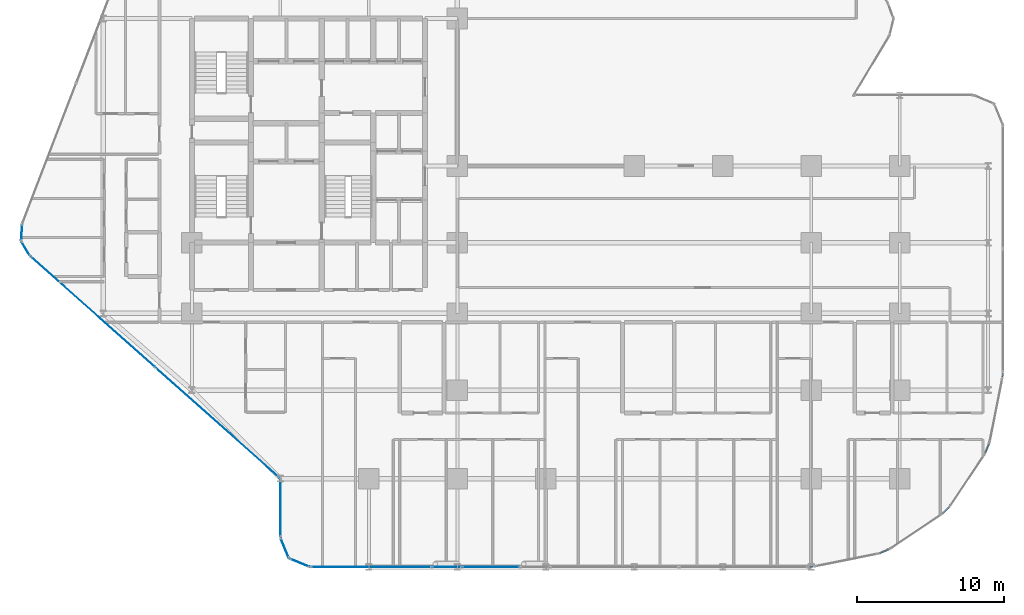
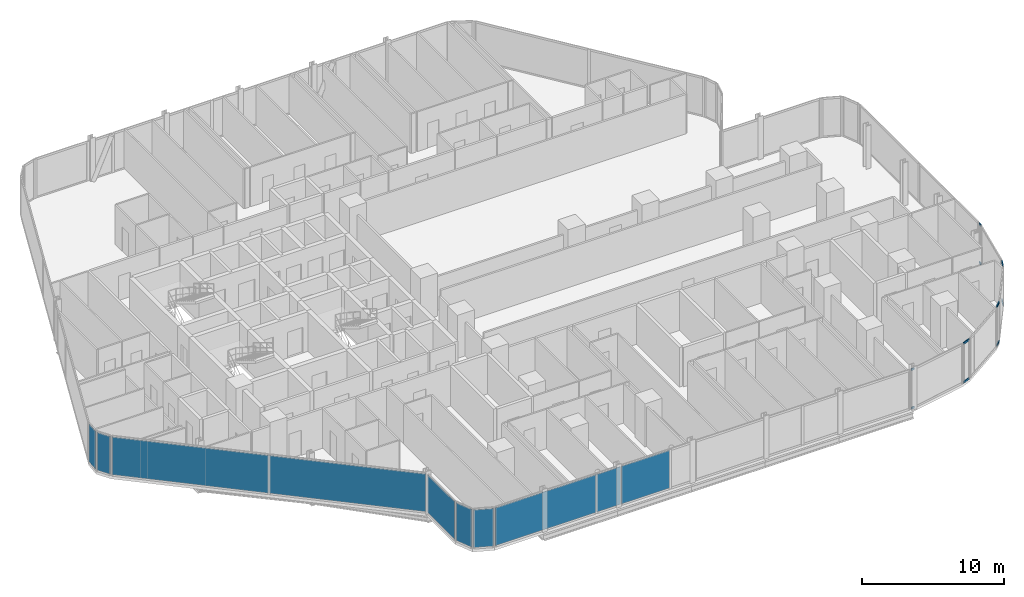
# One storey, part 20 of 33: 10 members, 10 plates, 14 elements without a shape of their own.
"""IFC4 building model written with IfcOpenShell, lengths in metres."""

from ifc_helpers import new_model, si_unit, direction, frame, origin, origin_2d, place, context, subcontext, project, spatial, rectangle, hollow_rectangle, extrude, material, layer, layer_set, material_profile, profile_set, type_object, element, aggregate, save


model = new_model("IFC4")

# Units and contexts
model_context = context("Model", 3, precision=1e-05, world=origin(), true_north=direction((0.0, 1.0)))
body_context = subcontext(model_context, "Body", "Model", "MODEL_VIEW")
ifc_project = project(units=[si_unit("LENGTHUNIT", "METRE"), si_unit("AREAUNIT", "SQUARE_METRE"), si_unit("VOLUMEUNIT", "CUBIC_METRE"), si_unit("PLANEANGLEUNIT", "RADIAN"), si_unit("MASSUNIT", "GRAM", prefix="KILO")], contexts=[model_context])

# Site, building, storey
site_placement = place(None, origin())
site = spatial("IfcSite", under=ifc_project, at=site_placement, CompositionType="ELEMENT")
building_placement = place(site_placement, origin())
building = spatial("IfcBuilding", under=site, at=building_placement, Name="Keshet Zoharim Tower", CompositionType="ELEMENT")
storey_placement = place(building_placement, frame((0.0, 0.0, 27.699951171875)))
storey = spatial("IfcBuildingStorey", under=building, at=storey_placement, Name="L05", CompositionType="ELEMENT", Elevation=27.699951171875)

# Curtain wall, members
ifc_material_1 = material(Name="Aluminium 6063-T6", Category="aluminium")
ifc_layer_1 = layer(ifc_material_1, 0.169921875)
ifc_layer_set_1 = layer_set([ifc_layer_1], Name="Aluminium 6063-T6")
curtain_wall_type_1 = type_object("IfcCurtainWallType", Name="CW-SYS-02", PredefinedType="NOTDEFINED", material=ifc_layer_set_1)
curtain_wall_1_placement = place(storey_placement, origin())
curtain_wall_1 = element("IfcCurtainWall", 1, at=curtain_wall_1_placement, inside=storey, type_object=curtain_wall_type_1, Name="L05 Unitised Curtain Wall 17", PredefinedType="NOTDEFINED")
ifc_material_profile = material_profile(ifc_material_1, hollow_rectangle(XDim=0.0849609375, YDim=0.159912109375, WallThickness=0.00439453125, at=origin_2d()), Name="TRN-85x160")
ifc_profile_set = profile_set([ifc_material_profile], Name="Aluminium 6063-T6")
member_type = type_object("IfcMemberType", Name="CWT-T16", PredefinedType="USERDEFINED", material=ifc_profile_set)
member_1_placement = place(storey_placement, frame((69.9931640625, 13.827392578125, 0.03515625), z_axis=(-0.096912647607, -0.995292890929, 0.0), x_axis=(0.995292890929, -0.096912647607, 0.0)))
member_1 = element("IfcMember", 2, at=member_1_placement, type_object=member_type, Name="CW-02 transom 1.1", ObjectType="TRANSOM", PredefinedType="USERDEFINED", context=body_context, shape_type="SweptSolid", body=[
    extrude(hollow_rectangle(XDim=0.0849609375, YDim=0.159912109375, WallThickness=0.00439453125, at=origin_2d()), origin(), (0.0, 0.0, 1.0), 0.251953125),
])
member_2_placement = place(storey_placement, frame((69.9931640625, 13.827392578125, 3.35009765625), z_axis=(-0.096912647607, -0.995292890929, 0.0), x_axis=(0.995292890929, -0.096912647607, 0.0)))
member_2 = element("IfcMember", 3, at=member_2_placement, type_object=member_type, Name="CW-02 transom 1.2", ObjectType="TRANSOM", PredefinedType="USERDEFINED", context=body_context, shape_type="SweptSolid", body=[
    extrude(hollow_rectangle(XDim=0.0849609375, YDim=0.159912109375, WallThickness=0.00439453125, at=origin_2d()), origin(), (0.0, 0.0, 1.0), 0.251953125),
])
aggregate(curtain_wall_1, [member_1, member_2])

ifc_layer_2 = layer(ifc_material_1, 0.179931640625)
ifc_layer_set_2 = layer_set([ifc_layer_2], Name="Aluminium 6063-T6")
curtain_wall_type_2 = type_object("IfcCurtainWallType", Name="CW-SYS-01", PredefinedType="NOTDEFINED", material=ifc_layer_set_2)
curtain_wall_2_placement = place(storey_placement, origin())
curtain_wall_2 = element("IfcCurtainWall", 4, at=curtain_wall_2_placement, inside=storey, type_object=curtain_wall_type_2, Name="L05 Unitised Curtain Wall 19", PredefinedType="NOTDEFINED")
member_3_placement = place(storey_placement, frame((69.061279296875, 9.05029296875, 0.03515625), z_axis=(-0.383126096215, -0.923696050874, 0.0), x_axis=(0.923696050874, -0.383126096215, 0.0)))
member_3 = element("IfcMember", 5, at=member_3_placement, type_object=member_type, Name="CW-01 transom 1.1", ObjectType="TRANSOM", PredefinedType="USERDEFINED", context=body_context, shape_type="SweptSolid", body=[
    extrude(hollow_rectangle(XDim=0.0849609375, YDim=0.159912109375, WallThickness=0.00439453125, at=origin_2d()), origin(), (0.0, 0.0, 1.0), 0.640380859375),
])
member_4_placement = place(storey_placement, frame((69.061279296875, 9.05029296875, 3.35009765625), z_axis=(-0.383126096215, -0.923696050874, 0.0), x_axis=(0.923696050874, -0.383126096215, 0.0)))
member_4 = element("IfcMember", 6, at=member_4_placement, type_object=member_type, Name="CW-01 transom 1.2", ObjectType="TRANSOM", PredefinedType="USERDEFINED", context=body_context, shape_type="SweptSolid", body=[
    extrude(hollow_rectangle(XDim=0.0849609375, YDim=0.159912109375, WallThickness=0.00439453125, at=origin_2d()), origin(), (0.0, 0.0, 1.0), 0.640380859375),
])
aggregate(curtain_wall_2, [member_3, member_4])

curtain_wall_3_placement = place(storey_placement, origin())
curtain_wall_3 = element("IfcCurtainWall", 7, at=curtain_wall_3_placement, inside=storey, type_object=curtain_wall_type_2, Name="L05 Unitised Curtain Wall 21", PredefinedType="NOTDEFINED")
member_5_placement = place(storey_placement, frame((66.363525390625, 4.78857421875, 0.03515625), z_axis=(-0.707106781187, -0.707106781187, 0.0), x_axis=(0.707106781187, -0.707106781187, 0.0)))
member_5 = element("IfcMember", 8, at=member_5_placement, type_object=member_type, Name="CW-01 transom 1.1", ObjectType="TRANSOM", PredefinedType="USERDEFINED", context=body_context, shape_type="SweptSolid", body=[
    extrude(hollow_rectangle(XDim=0.0849609375, YDim=0.159912109375, WallThickness=0.00439453125, at=origin_2d()), origin(), (0.0, 0.0, 1.0), 0.639404296875),
])
member_6_placement = place(storey_placement, frame((66.363525390625, 4.78857421875, 3.35009765625), z_axis=(-0.707106781187, -0.707106781187, 0.0), x_axis=(0.707106781187, -0.707106781187, 0.0)))
member_6 = element("IfcMember", 9, at=member_6_placement, type_object=member_type, Name="CW-01 transom 1.2", ObjectType="TRANSOM", PredefinedType="USERDEFINED", context=body_context, shape_type="SweptSolid", body=[
    extrude(hollow_rectangle(XDim=0.0849609375, YDim=0.159912109375, WallThickness=0.00439453125, at=origin_2d()), origin(), (0.0, 0.0, 1.0), 0.639404296875),
])
aggregate(curtain_wall_3, [member_5, member_6])

curtain_wall_4_placement = place(storey_placement, origin())
curtain_wall_4 = element("IfcCurtainWall", 10, at=curtain_wall_4_placement, inside=storey, type_object=curtain_wall_type_2, Name="L05 Unitised Curtain Wall 23", PredefinedType="NOTDEFINED")
member_7_placement = place(storey_placement, frame((62.241455078125, 1.88427734375, 0.03515625), z_axis=(-0.923751978938, -0.382991228891, 0.0), x_axis=(0.382991228891, -0.923751978938, 0.0)))
member_7 = element("IfcMember", 11, at=member_7_placement, type_object=member_type, Name="CW-01 transom 1.1", ObjectType="TRANSOM", PredefinedType="USERDEFINED", context=body_context, shape_type="SweptSolid", body=[
    extrude(hollow_rectangle(XDim=0.0849609375, YDim=0.159912109375, WallThickness=0.00439453125, at=origin_2d()), origin(), (0.0, 0.0, 1.0), 0.640625),
])
member_8_placement = place(storey_placement, frame((62.241455078125, 1.88427734375, 3.35009765625), z_axis=(-0.923751978938, -0.382991228891, 0.0), x_axis=(0.382991228891, -0.923751978938, 0.0)))
member_8 = element("IfcMember", 12, at=member_8_placement, type_object=member_type, Name="CW-01 transom 1.2", ObjectType="TRANSOM", PredefinedType="USERDEFINED", context=body_context, shape_type="SweptSolid", body=[
    extrude(hollow_rectangle(XDim=0.0849609375, YDim=0.159912109375, WallThickness=0.00439453125, at=origin_2d()), origin(), (0.0, 0.0, 1.0), 0.640625),
])
aggregate(curtain_wall_4, [member_7, member_8])

curtain_wall_5_placement = place(storey_placement, origin())
curtain_wall_5 = element("IfcCurtainWall", 13, at=curtain_wall_5_placement, inside=storey, type_object=curtain_wall_type_2, Name="L05 Unitised Curtain Wall 25", PredefinedType="NOTDEFINED")
member_9_placement = place(storey_placement, frame((57.123291015625, 0.731201171875, 0.03515625), z_axis=(-0.995292890929, -0.096912647607, 0.0), x_axis=(0.096912647607, -0.995292890929, 0.0)))
member_9 = element("IfcMember", 14, at=member_9_placement, type_object=member_type, Name="CW-01 transom 1.1", ObjectType="TRANSOM", PredefinedType="USERDEFINED", context=body_context, shape_type="SweptSolid", body=[
    extrude(hollow_rectangle(XDim=0.0849609375, YDim=0.159912109375, WallThickness=0.00439453125, at=origin_2d()), origin(), (0.0, 0.0, 1.0), 0.251953125),
])
member_10_placement = place(storey_placement, frame((57.123291015625, 0.731201171875, 3.35009765625), z_axis=(-0.995292890929, -0.096912647607, 0.0), x_axis=(0.096912647607, -0.995292890929, 0.0)))
member_10 = element("IfcMember", 15, at=member_10_placement, type_object=member_type, Name="CW-01 transom 1.2", ObjectType="TRANSOM", PredefinedType="USERDEFINED", context=body_context, shape_type="SweptSolid", body=[
    extrude(hollow_rectangle(XDim=0.0849609375, YDim=0.159912109375, WallThickness=0.00439453125, at=origin_2d()), origin(), (0.0, 0.0, 1.0), 0.251953125),
])
aggregate(curtain_wall_5, [member_9, member_10])

# Curtain wall, plates
curtain_wall_6_placement = place(storey_placement, origin())
curtain_wall_6 = element("IfcCurtainWall", 16, at=curtain_wall_6_placement, inside=storey, type_object=curtain_wall_type_2, Name="L05 Unitised Curtain Wall 01", PredefinedType="NOTDEFINED")
ifc_material_2 = material(Name="Insulated Low-E Clear Glass", Category="glass")
ifc_layer_3 = layer(ifc_material_2, 0.035888671875)
ifc_layer_set_3 = layer_set([ifc_layer_3], Name="Insulated Low-E Clear Glass")
plate_type_1 = type_object("IfcPlateType", Name="CWP-01", PredefinedType="CURTAIN_PANEL", material=ifc_layer_set_3)
plate_1_placement = place(storey_placement, frame((16.74560546875, 10.481689453125, 0.070068359375), z_axis=(0.0, 0.0, 1.0), x_axis=(-0.747409318679, 0.664363838836, 0.0)))
plate_1 = element("IfcPlate", 17, at=plate_1_placement, type_object=plate_type_1, Name="CW-01 panel 1.1", PredefinedType="CURTAIN_PANEL", context=body_context, shape_type="SweptSolid", body=[
    extrude(rectangle(XDim=11.244140625, YDim=0.035888671875, at=origin_2d()), origin(), (0.0, 0.0, 1.0), 3.2451171875),
])
plate_2_placement = place(storey_placement, frame((8.289306640625, 17.998291015625, 0.070068359375), z_axis=(0.0, 0.0, 1.0), x_axis=(-0.747409318679, 0.664363838836, 0.0)))
plate_2 = element("IfcPlate", 18, at=plate_2_placement, type_object=plate_type_1, Name="CW-01 panel 2.1", PredefinedType="CURTAIN_PANEL", context=body_context, shape_type="SweptSolid", body=[
    extrude(rectangle(XDim=11.244140625, YDim=0.035888671875, at=origin_2d()), origin(), (0.0, 0.0, 1.0), 3.2451171875),
])
aggregate(curtain_wall_6, [plate_1, plate_2])

# Curtain wall, plate
curtain_wall_7_placement = place(storey_placement, origin())
curtain_wall_7 = element("IfcCurtainWall", 19, at=curtain_wall_7_placement, inside=storey, type_object=curtain_wall_type_2, Name="L05 Unitised Curtain Wall 02", PredefinedType="NOTDEFINED")
plate_3_placement = place(storey_placement, frame((3.7275390625, 22.291015625, 0.070068359375), z_axis=(0.0, 0.0, 1.0), x_axis=(-0.515604947933, 0.856826433805, 0.0)))
plate_3 = element("IfcPlate", 20, at=plate_3_placement, type_object=plate_type_1, Name="CW-01 panel 1.1", PredefinedType="CURTAIN_PANEL", context=body_context, shape_type="SweptSolid", body=[
    extrude(rectangle(XDim=1.052734375, YDim=0.035888671875, at=origin_2d()), origin(), (0.0, 0.0, 1.0), 3.2451171875),
])
aggregate(curtain_wall_7, [plate_3])

curtain_wall_8_placement = place(storey_placement, origin())
curtain_wall_8 = element("IfcCurtainWall", 21, at=curtain_wall_8_placement, inside=storey, type_object=curtain_wall_type_2, Name="L05 Unitised Curtain Wall 03", PredefinedType="NOTDEFINED")
plate_4_placement = place(storey_placement, frame((3.45849609375, 23.3974609375, 0.070068359375), z_axis=(0.0, 0.0, 1.0), x_axis=(0.064516859374, 0.997916617186, 0.0)))
plate_4 = element("IfcPlate", 22, at=plate_4_placement, type_object=plate_type_1, Name="CW-01 panel 1.1", PredefinedType="CURTAIN_PANEL", context=body_context, shape_type="SweptSolid", body=[
    extrude(rectangle(XDim=1.053466796875, YDim=0.035888671875, at=origin_2d()), origin(), (0.0, 0.0, 1.0), 3.2451171875),
])
aggregate(curtain_wall_8, [plate_4])

curtain_wall_9_placement = place(storey_placement, origin())
curtain_wall_9 = element("IfcCurtainWall", 23, at=curtain_wall_9_placement, inside=storey, type_object=curtain_wall_type_2, Name="L05 Unitised Curtain Wall 26 Part 3", PredefinedType="NOTDEFINED")
plate_5_placement = place(storey_placement, frame((35.284912109375, 0.699951171875, 0.070068359375), z_axis=(0.0, 0.0, 1.0), x_axis=(-1.0, 0.0, 0.0)))
plate_5 = element("IfcPlate", 24, at=plate_5_placement, type_object=plate_type_1, Name="CW-01 panel 1.1", PredefinedType="CURTAIN_PANEL", context=body_context, shape_type="SweptSolid", body=[
    extrude(rectangle(XDim=3.90478515625, YDim=0.035888671875, at=origin_2d()), origin(), (0.0, 0.0, 1.0), 3.2451171875),
])
aggregate(curtain_wall_9, [plate_5])

curtain_wall_10_placement = place(storey_placement, origin())
curtain_wall_10 = element("IfcCurtainWall", 25, at=curtain_wall_10_placement, inside=storey, type_object=curtain_wall_type_2, Name="L05 Unitised Curtain Wall 26 Part 5", PredefinedType="NOTDEFINED")
plate_6_placement = place(storey_placement, frame((27.15380859375, 0.699951171875, 0.070068359375), z_axis=(0.0, 0.0, 1.0), x_axis=(-1.0, 0.0, 0.0)))
plate_6 = element("IfcPlate", 26, at=plate_6_placement, type_object=plate_type_1, Name="CW-01 panel 1.1", PredefinedType="CURTAIN_PANEL", context=body_context, shape_type="SweptSolid", body=[
    extrude(rectangle(XDim=8.16748046875, YDim=0.035888671875, at=origin_2d()), origin(), (0.0, 0.0, 1.0), 3.2451171875),
])
aggregate(curtain_wall_10, [plate_6])

curtain_wall_11_placement = place(storey_placement, origin())
curtain_wall_11 = element("IfcCurtainWall", 27, at=curtain_wall_11_placement, inside=storey, type_object=curtain_wall_type_2, Name="L05 Unitised Curtain Wall 27", PredefinedType="NOTDEFINED")
plate_7_placement = place(storey_placement, frame((22.29296875, 0.992919921875, 0.070068359375), z_axis=(0.0, 0.0, 1.0), x_axis=(-0.92380975372, 0.382851849847, 0.0)))
plate_7 = element("IfcPlate", 28, at=plate_7_placement, type_object=plate_type_1, Name="CW-01 panel 1.1", PredefinedType="CURTAIN_PANEL", context=body_context, shape_type="SweptSolid", body=[
    extrude(rectangle(XDim=1.390625, YDim=0.035888671875, at=origin_2d()), origin(), (0.0, 0.0, 1.0), 3.2451171875),
])
aggregate(curtain_wall_11, [plate_7])

curtain_wall_12_placement = place(storey_placement, origin())
curtain_wall_12 = element("IfcCurtainWall", 29, at=curtain_wall_12_placement, inside=storey, type_object=curtain_wall_type_2, Name="L05 Unitised Curtain Wall 28", PredefinedType="NOTDEFINED")
plate_8_placement = place(storey_placement, frame((21.29296875, 1.992919921875, 0.070068359375), z_axis=(0.0, 0.0, 1.0), x_axis=(-0.382851849847, 0.92380975372, 0.0)))
plate_8 = element("IfcPlate", 30, at=plate_8_placement, type_object=plate_type_1, Name="CW-01 panel 1.1", PredefinedType="CURTAIN_PANEL", context=body_context, shape_type="SweptSolid", body=[
    extrude(rectangle(XDim=1.390625, YDim=0.035888671875, at=origin_2d()), origin(), (0.0, 0.0, 1.0), 3.2451171875),
])
aggregate(curtain_wall_12, [plate_8])

curtain_wall_13_placement = place(storey_placement, origin())
curtain_wall_13 = element("IfcCurtainWall", 31, at=curtain_wall_13_placement, inside=storey, type_object=curtain_wall_type_2, Name="L05 Unitised Curtain Wall 29", PredefinedType="NOTDEFINED")
plate_9_placement = place(storey_placement, frame((21.0, 4.699951171875, 0.070068359375), z_axis=(0.0, 0.0, 1.0), x_axis=(0.0, 1.0, 0.0)))
plate_9 = element("IfcPlate", 32, at=plate_9_placement, type_object=plate_type_1, Name="CW-01 panel 1.1", PredefinedType="CURTAIN_PANEL", context=body_context, shape_type="SweptSolid", body=[
    extrude(rectangle(XDim=3.860107421875, YDim=0.035888671875, at=origin_2d()), origin(), (0.0, 0.0, 1.0), 3.2451171875),
])
aggregate(curtain_wall_13, [plate_9])

curtain_wall_14_placement = place(storey_placement, origin())
curtain_wall_14 = element("IfcCurtainWall", 33, at=curtain_wall_14_placement, inside=storey, type_object=curtain_wall_type_2, Name="L05 Unitised Curtain Wall 26 Part 4", PredefinedType="NOTDEFINED")
ifc_material_3 = material(Name="Insulated Aluminium Spandrel Panel", Category="aluminium")
ifc_layer_4 = layer(ifc_material_3, 0.035888671875)
ifc_layer_set_4 = layer_set([ifc_layer_4], Name="Insulated Aluminium Spandrel Panel")
plate_type_2 = type_object("IfcPlateType", Name="CWP-04", PredefinedType="CURTAIN_PANEL", material=ifc_layer_set_4)
plate_10_placement = place(storey_placement, frame((32.284912109375, 0.699951171875, 0.070068359375), z_axis=(0.0, 0.0, 1.0), x_axis=(-1.0, 0.0, 0.0)))
plate_10 = element("IfcPlate", 34, at=plate_10_placement, type_object=plate_type_2, Name="CW-01 spandrel panel 1.1", PredefinedType="CURTAIN_PANEL", context=body_context, shape_type="SweptSolid", body=[
    extrude(rectangle(XDim=1.955078125, YDim=0.035888671875, at=origin_2d()), origin(), (0.0, 0.0, 1.0), 3.2451171875),
])
aggregate(curtain_wall_14, [plate_10])

save(model, "model.ifc")
